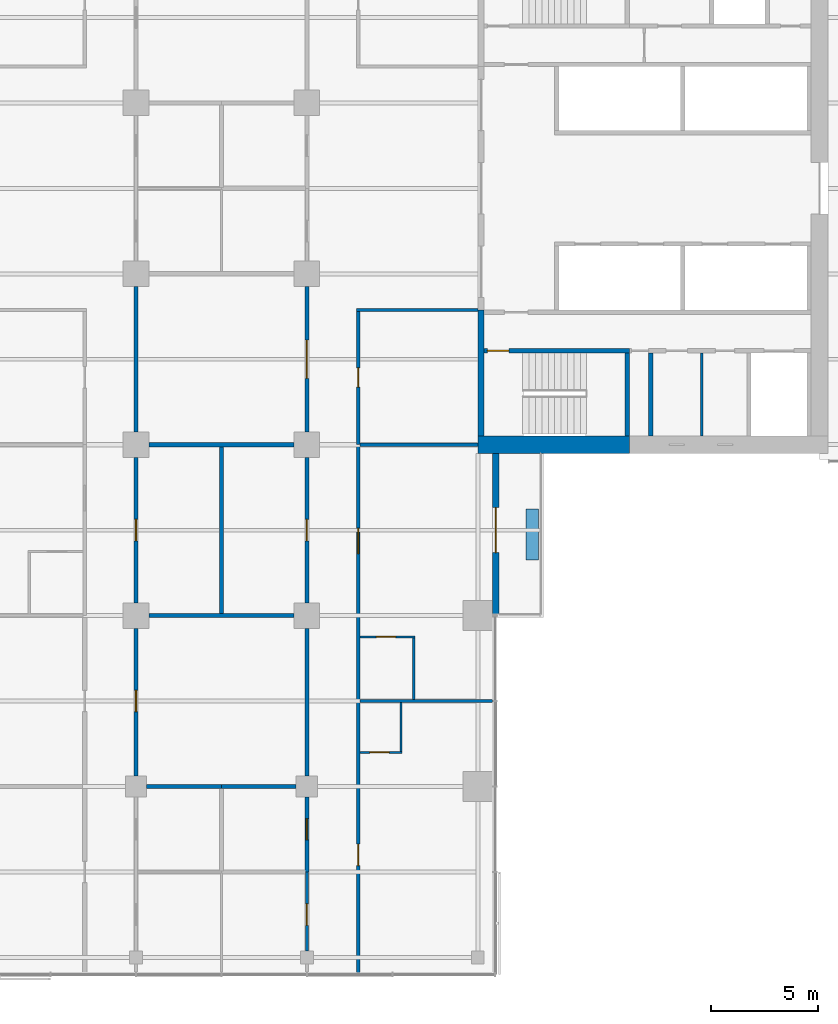
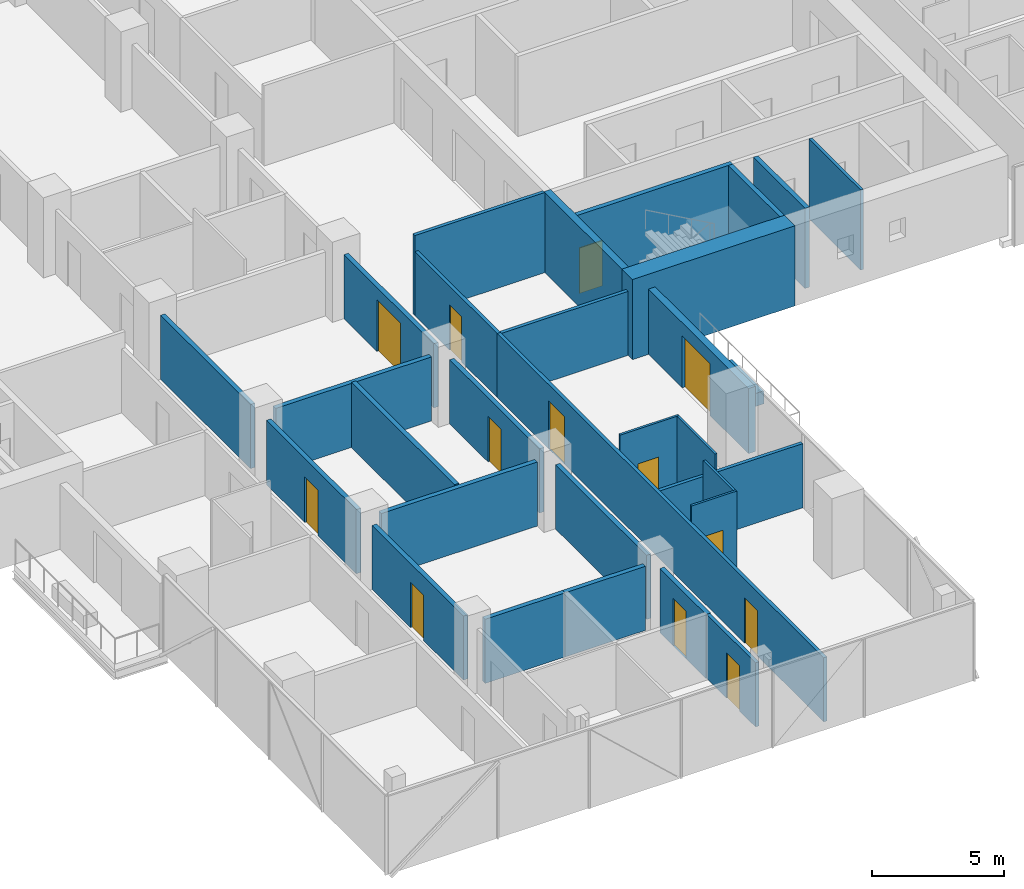
# One storey, part 16 of 27: 30 walls, 13 doors, 13 openings.
"""IFC4 building model written with IfcOpenShell, lengths in metres."""

from ifc_helpers import new_model, si_unit, direction, frame, frame_2d, origin, place, context, subcontext, project, spatial, rectangle, extrude, material, layer, layer_set, constituent, constituent_set, type_object, element, fill, save


model = new_model("IFC4")

# Units and contexts
model_context = context("Model", 3, precision=1e-05, world=origin(), true_north=direction((0.0, 1.0)))
body_context = subcontext(model_context, "Body", "Model", "MODEL_VIEW")
ifc_project = project(units=[si_unit("LENGTHUNIT", "METRE"), si_unit("AREAUNIT", "SQUARE_METRE"), si_unit("VOLUMEUNIT", "CUBIC_METRE"), si_unit("PLANEANGLEUNIT", "RADIAN"), si_unit("MASSUNIT", "GRAM", prefix="KILO")], contexts=[model_context])

# Site, building, storey
site_placement = place(None, origin())
site = spatial("IfcSite", under=ifc_project, at=site_placement, CompositionType="ELEMENT")
building_placement = place(site_placement, origin())
building = spatial("IfcBuilding", under=site, at=building_placement, Name="Crosswind Convention Tower", CompositionType="ELEMENT")
storey_placement = place(building_placement, frame((0.0, 0.0, 86.800048828125)))
storey = spatial("IfcBuildingStorey", under=building, at=storey_placement, Name="L16", CompositionType="ELEMENT", Elevation=86.800048828125)

# Walls
ifc_material_1 = material(Name="Concrete blockwork", Category="masonry")
ifc_layer_1 = layer(ifc_material_1, 0.199951171875)
ifc_layer_set_1 = layer_set([ifc_layer_1], Name="Blockwork partition wall 200")
wall_type_1 = type_object("IfcWallType", Name="Blockwork partition wall 200", PredefinedType="PARTITIONING", material=ifc_layer_set_1)
wall_1_placement = place(storey_placement, frame((145.10009765625, 88.39990234375, 0.0), z_axis=(0.0, 0.0, 1.0), x_axis=(0.0, 1.0, 0.0)))
element("IfcWall", 1, at=wall_1_placement, inside=storey, type_object=wall_type_1, Name="Wall MRSE E L16", PredefinedType="PARTITIONING", context=body_context, shape_type="SweptSolid", body=[
    extrude(rectangle(XDim=3.900146484375, YDim=0.199951171875, at=frame_2d((1.9501953125, 0.0))), origin(), (0.0, 0.0, 1.0), 3.699951171875),
])
ifc_layer_2 = layer(ifc_material_1, 0.199951171875)
ifc_layer_set_2 = layer_set([ifc_layer_2], Name="COMPARTMENT WALL 200")
wall_type_2 = type_object("IfcWallType", Name="COMPARTMENT WALL 200", PredefinedType="SOLIDWALL", material=ifc_layer_set_2)
wall_2_placement = place(storey_placement, frame((125.0, 72.0, 0.0), z_axis=(0.0, 0.0, 1.0), x_axis=(1.0, 0.0, 0.0)))
element("IfcWall", 2, at=wall_2_placement, inside=storey, type_object=wall_type_2, Name="Compartment Wall 5", PredefinedType="SOLIDWALL", context=body_context, shape_type="SweptSolid", body=[
    extrude(rectangle(XDim=3.5, YDim=0.199951171875, at=frame_2d((1.75, 0.0))), origin(), (0.0, 0.0, 1.0), 2.959716796875),
])

# Wall, opening, door
wall_3_placement = place(storey_placement, frame((129.0, 68.0, 0.0), z_axis=(0.0, 0.0, 1.0), x_axis=(0.0, 1.0, 0.0)))
wall_3 = element("IfcWall", 3, at=wall_3_placement, inside=storey, type_object=wall_type_2, Name="Compartment Wall 103", PredefinedType="SOLIDWALL", context=body_context, shape_type="SweptSolid", body=[
    extrude(rectangle(XDim=3.5, YDim=0.199951171875, at=frame_2d((1.75, 0.0))), origin(), (0.0, 0.0, 1.0), 2.959716796875),
])
opening_1_placement = place(wall_3_placement, frame((1.5, 0.0, 0.0)))
opening_1 = element("IfcOpeningElement", 4, at=opening_1_placement, cuts=wall_3, Name="Opening 16.053", PredefinedType="OPENING", context=body_context, shape_type="SweptSolid", body=[
    extrude(rectangle(XDim=1.0, YDim=2.199951171875, at=frame_2d((0.5, 1.10009765625))), frame((0.0, 0.10986328125, 0.0), z_axis=(0.0, -1.0, 0.0), x_axis=(1.0, 0.0, 0.0)), (0.0, 0.0, 1.0), 0.219970703125),
])
ifc_material_2 = material(Name="Steel fire door", Category="steel")
door_type_1 = type_object("IfcDoorType", Name="PLANT ROOM DOOR 1000X2200", OperationType="NOTDEFINED", PredefinedType="DOOR", material=ifc_material_2)
door_1_placement = place(opening_1_placement, origin())
door_1 = element("IfcDoor", 5, at=door_1_placement, inside=storey, type_object=door_type_1, Name="Door 16.053", ObjectType="D6", OperationType="SINGLE_SWING_RIGHT", OverallHeight=2.199951171875, OverallWidth=1.0, PredefinedType="DOOR", context=body_context, shape_type="SweptSolid", body=[
    extrude(rectangle(XDim=1.0, YDim=2.199951171875, at=frame_2d((0.5, 1.10009765625))), frame((0.0, 0.02490234375, 0.0), z_axis=(0.0, -1.0, 0.0), x_axis=(1.0, 0.0, 0.0)), (0.0, 0.0, 1.0), 0.050048828125),
])
fill(opening_1, door_1)

# Wall
ifc_material_3 = material(Name="Plasterboard partition", Category="gypsum")
ifc_layer_3 = layer(ifc_material_3, 0.14990234375)
ifc_layer_set_3 = layer_set([ifc_layer_3], Name="CORRIDOR WALL 150")
wall_type_3 = type_object("IfcWallType", Name="CORRIDOR WALL 150", PredefinedType="PARTITIONING", material=ifc_layer_set_3)
wall_4_placement = place(storey_placement, frame((131.324951171875, 94.300048828125, 0.0), z_axis=(0.0, 0.0, 1.0), x_axis=(1.0, 0.0, 0.0)))
element("IfcWall", 6, at=wall_4_placement, inside=storey, type_object=wall_type_3, Name="Corridor Wall 19", PredefinedType="PARTITIONING", context=body_context, shape_type="SweptSolid", body=[
    extrude(rectangle(XDim=5.675048828125, YDim=0.14990234375, at=frame_2d((2.83740234375, 0.0))), origin(), (0.0, 0.0, 1.0), 3.699951171875),
])

# Wall, opening, door
wall_5_placement = place(storey_placement, frame((129.0, 64.300048828125, 0.0), z_axis=(0.0, 0.0, 1.0), x_axis=(0.0, 1.0, 0.0)))
wall_5 = element("IfcWall", 7, at=wall_5_placement, inside=storey, type_object=wall_type_3, Name="Corridor Wall 102", PredefinedType="PARTITIONING", context=body_context, shape_type="SweptSolid", body=[
    extrude(rectangle(XDim=3.699951171875, YDim=0.14990234375, at=frame_2d((1.85009765625, 0.0))), origin(), (0.0, 0.0, 1.0), 2.959716796875),
])
opening_2_placement = place(wall_5_placement, frame((1.199951171875, 0.0, 0.0)))
opening_2 = element("IfcOpeningElement", 8, at=opening_2_placement, cuts=wall_5, Name="Opening 16.052", PredefinedType="OPENING", context=body_context, shape_type="SweptSolid", body=[
    extrude(rectangle(XDim=1.0, YDim=2.10009765625, at=frame_2d((0.5, 1.050048828125))), frame((0.0, 0.0849609375, 0.0), z_axis=(0.0, -1.0, 0.0), x_axis=(1.0, 0.0, 0.0)), (0.0, 0.0, 1.0), 0.169921875),
])
ifc_material_4 = material(Name="Timber fire door", Category="wood")
door_type_2 = type_object("IfcDoorType", Name="SERVICE ROOM DOOR 1000X2100", OperationType="NOTDEFINED", PredefinedType="DOOR", material=ifc_material_4)
door_2_placement = place(opening_2_placement, origin())
door_2 = element("IfcDoor", 9, at=door_2_placement, inside=storey, type_object=door_type_2, Name="Door 16.052", ObjectType="D3", OperationType="SINGLE_SWING_LEFT", OverallHeight=2.10009765625, OverallWidth=1.0, PredefinedType="DOOR", context=body_context, shape_type="SweptSolid", body=[
    extrude(rectangle(XDim=1.0, YDim=2.10009765625, at=frame_2d((0.5, 1.050048828125))), frame((0.0, 0.02490234375, 0.0), z_axis=(0.0, -1.0, 0.0), x_axis=(1.0, 0.0, 0.0)), (0.0, 0.0, 1.0), 0.050048828125),
])
fill(opening_2, door_2)

wall_6_placement = place(storey_placement, frame((131.39990234375, 88.0, 0.0), z_axis=(0.0, 0.0, 1.0), x_axis=(0.0, 1.0, 0.0)))
wall_6 = element("IfcWall", 10, at=wall_6_placement, inside=storey, type_object=wall_type_3, Name="Corridor Wall 115", PredefinedType="PARTITIONING", context=body_context, shape_type="SweptSolid", body=[
    extrude(rectangle(XDim=6.22509765625, YDim=0.14990234375, at=frame_2d((3.112548828125, 0.0))), origin(), (0.0, 0.0, 1.0), 2.956298828125),
])
opening_3_placement = place(wall_6_placement, frame((2.699951171875, 0.0, 0.0)))
opening_3 = element("IfcOpeningElement", 11, at=opening_3_placement, cuts=wall_6, Name="Opening 16.002", PredefinedType="OPENING", context=body_context, shape_type="SweptSolid", body=[
    extrude(rectangle(XDim=0.89990234375, YDim=2.10009765625, at=frame_2d((0.449951171875, 1.050048828125))), frame((0.0, 0.0849609375, 0.0), z_axis=(0.0, -1.0, 0.0), x_axis=(1.0, 0.0, 0.0)), (0.0, 0.0, 1.0), 0.169921875),
])
ifc_material_5 = material(Name="Timber door", Category="wood")
door_type_3 = type_object("IfcDoorType", Name="WC DOOR 900X2100", OperationType="NOTDEFINED", PredefinedType="DOOR", material=ifc_material_5)
door_3_placement = place(opening_3_placement, frame((0.89990234375, 0.0, 0.0), z_axis=(0.0, 0.0, 1.0), x_axis=(-1.0, 0.0, 0.0)))
door_3 = element("IfcDoor", 12, at=door_3_placement, inside=storey, type_object=door_type_3, Name="Door 16.002", ObjectType="D7", OperationType="SINGLE_SWING_LEFT", OverallHeight=2.10009765625, OverallWidth=0.89990234375, PredefinedType="DOOR", context=body_context, shape_type="SweptSolid", body=[
    extrude(rectangle(XDim=0.89990234375, YDim=2.10009765625, at=frame_2d((0.449951171875, 1.050048828125))), frame((0.0, 0.02490234375, 0.0), z_axis=(0.0, -1.0, 0.0), x_axis=(1.0, 0.0, 0.0)), (0.0, 0.0, 1.0), 0.050048828125),
])
fill(opening_3, door_3)

# Walls
ifc_material_6 = material(Name="Concrete C50/60", Category="concrete")
ifc_layer_4 = layer(ifc_material_6, 0.300048828125)
ifc_layer_set_4 = layer_set([ifc_layer_4], Name="Concrete C50/60")
wall_type_4 = type_object("IfcWallType", Name="Concrete inner core wall 300", PredefinedType="SHEAR", material=ifc_layer_set_4)
wall_7_placement = place(storey_placement, frame((137.14990234375, 88.39990234375, 0.0), z_axis=(0.0, 0.0, 1.0), x_axis=(0.0, 1.0, 0.0)))
element("IfcWall", 13, at=wall_7_placement, inside=storey, type_object=wall_type_4, Name="Wall EM E L16", PredefinedType="SHEAR", context=body_context, shape_type="SweptSolid", body=[
    extrude(rectangle(XDim=5.900146484375, YDim=0.300048828125, at=frame_2d((2.9501953125, 0.0))), origin(), (0.0, 0.0, 1.0), 3.699951171875),
])
ifc_layer_5 = layer(ifc_material_6, 0.199951171875)
ifc_layer_set_5 = layer_set([ifc_layer_5], Name="Concrete C50/60")
wall_type_5 = type_object("IfcWallType", Name="Concrete shaft and stair wall 200", PredefinedType="SHEAR", material=ifc_layer_set_5)
wall_8_placement = place(storey_placement, frame((144.0, 88.39990234375, 0.0), z_axis=(0.0, 0.0, 1.0), x_axis=(0.0, 1.0, 0.0)))
element("IfcWall", 14, at=wall_8_placement, inside=storey, type_object=wall_type_5, Name="Wall MSE E L16", PredefinedType="SHEAR", context=body_context, shape_type="SweptSolid", body=[
    extrude(rectangle(XDim=3.900146484375, YDim=0.199951171875, at=frame_2d((1.9501953125, 0.0))), origin(), (0.0, 0.0, 1.0), 3.699951171875),
])

# Wall, opening, door
wall_9_placement = place(storey_placement, frame((137.300048828125, 92.39990234375, 0.0), z_axis=(0.0, 0.0, 1.0), x_axis=(1.0, 0.0, 0.0)))
wall_9 = element("IfcWall", 15, at=wall_9_placement, inside=storey, type_object=wall_type_5, Name="Wall MCW E L16", PredefinedType="SHEAR", context=body_context, shape_type="SweptSolid", body=[
    extrude(rectangle(XDim=6.800048828125, YDim=0.199951171875, at=frame_2d((3.39990234375, 0.0))), origin(), (0.0, 0.0, 1.0), 3.699951171875),
])
opening_4_placement = place(wall_9_placement, frame((0.14990234375, 0.0, 0.0)))
opening_4 = element("IfcOpeningElement", 16, at=opening_4_placement, cuts=wall_9, Name="Opening D103", PredefinedType="OPENING", context=body_context, shape_type="SweptSolid", body=[
    extrude(rectangle(XDim=1.0, YDim=2.10009765625, at=frame_2d((0.5, 1.050048828125))), frame((0.0, 0.10986328125, 0.0), z_axis=(0.0, -1.0, 0.0), x_axis=(1.0, 0.0, 0.0)), (0.0, 0.0, 1.0), 0.219970703125),
])
door_type_4 = type_object("IfcDoorType", Name="Fire-rated single door 1000x2100", OperationType="NOTDEFINED", PredefinedType="DOOR", material=ifc_material_2)
door_4_placement = place(opening_4_placement, frame((1.0, 0.0, 0.0), z_axis=(0.0, 0.0, 1.0), x_axis=(-1.0, 0.0, 0.0)))
door_4 = element("IfcDoor", 17, at=door_4_placement, inside=storey, type_object=door_type_4, Name="Stair ST2 door L16", ObjectType="D103", OperationType="SINGLE_SWING_RIGHT", OverallHeight=2.10009765625, OverallWidth=1.0, PredefinedType="DOOR", context=body_context, shape_type="SweptSolid", body=[
    extrude(rectangle(XDim=1.0, YDim=2.10009765625, at=frame_2d((0.5, 1.050048828125))), frame((0.0, 0.02490234375, 0.0), z_axis=(0.0, -1.0, 0.0), x_axis=(1.0, 0.0, 0.0)), (0.0, 0.0, 1.0), 0.050048828125),
])
fill(opening_4, door_4)

# Walls
ifc_material_7 = material(Name="Gypsum plasterboard partition", Category="gypsum")
ifc_layer_6 = layer(ifc_material_7, 0.125)
ifc_layer_set_6 = layer_set([ifc_layer_6], Name="Drywall partition wall 125")
wall_type_6 = type_object("IfcWallType", Name="Drywall partition wall 125", PredefinedType="PARTITIONING", material=ifc_layer_set_6)
wall_10_placement = place(storey_placement, frame((147.488037109375, 88.39990234375, 0.0), z_axis=(0.0, 0.0, 1.0), x_axis=(0.0, 1.0, 0.0)))
element("IfcWall", 18, at=wall_10_placement, inside=storey, type_object=wall_type_6, Name="Wall MWP1 E L16", PredefinedType="PARTITIONING", context=body_context, shape_type="SweptSolid", body=[
    extrude(rectangle(XDim=3.900146484375, YDim=0.125, at=frame_2d((1.9501953125, 0.0))), origin(), (0.0, 0.0, 1.0), 3.699951171875),
])
ifc_material_8 = material(Name="Acoustic plasterboard partition", Category="gypsum")
ifc_layer_7 = layer(ifc_material_8, 0.14990234375)
ifc_layer_set_7 = layer_set([ifc_layer_7], Name="GUEST ROOM WALL 150")
wall_type_7 = type_object("IfcWallType", Name="GUEST ROOM WALL 150", PredefinedType="PARTITIONING", material=ifc_layer_set_7)
wall_11_placement = place(storey_placement, frame((131.47509765625, 76.0, 0.0), z_axis=(0.0, 0.0, 1.0), x_axis=(1.0, 0.0, 0.0)))
element("IfcWall", 19, at=wall_11_placement, inside=storey, type_object=wall_type_7, Name="Guest Room Wall 7", PredefinedType="PARTITIONING", context=body_context, shape_type="SweptSolid", body=[
    extrude(rectangle(XDim=6.224853515625, YDim=0.14990234375, at=frame_2d((3.1123046875, 0.0))), origin(), (0.0, 0.0, 1.0), 2.962646484375),
])
wall_12_placement = place(storey_placement, frame((131.47509765625, 88.0, 0.0), z_axis=(0.0, 0.0, 1.0), x_axis=(1.0, 0.0, 0.0)))
element("IfcWall", 20, at=wall_12_placement, inside=storey, type_object=wall_type_7, Name="Guest Room Wall 14", PredefinedType="PARTITIONING", context=body_context, shape_type="SweptSolid", body=[
    extrude(rectangle(XDim=5.52490234375, YDim=0.14990234375, at=frame_2d((2.762451171875, 0.0))), origin(), (0.0, 0.0, 1.0), 2.956298828125),
])

# Wall, openings, doors
wall_13_placement = place(storey_placement, frame((131.39990234375, 63.300048828125, 0.0), z_axis=(0.0, 0.0, 1.0), x_axis=(0.0, 1.0, 0.0)))
wall_13 = element("IfcWall", 21, at=wall_13_placement, inside=storey, type_object=wall_type_7, Name="Guest Room Wall 114", PredefinedType="PARTITIONING", context=body_context, shape_type="SweptSolid", body=[
    extrude(rectangle(XDim=24.699951171875, YDim=0.14990234375, at=frame_2d((12.35009765625, 0.0))), origin(), (0.0, 0.0, 1.0), 2.956298828125),
])
opening_5_placement = place(wall_13_placement, frame((19.60009765625, 0.0, 0.0)))
opening_5 = element("IfcOpeningElement", 22, at=opening_5_placement, cuts=wall_13, Name="Opening 16.020", PredefinedType="OPENING", context=body_context, shape_type="SweptSolid", body=[
    extrude(rectangle(XDim=1.199951171875, YDim=2.199951171875, at=frame_2d((0.60009765625, 1.10009765625))), frame((0.0, 0.0849609375, 0.0), z_axis=(0.0, -1.0, 0.0), x_axis=(1.0, 0.0, 0.0)), (0.0, 0.0, 1.0), 0.169921875),
])
opening_6_placement = place(wall_13_placement, frame((5.0, 0.0, 0.0)))
opening_6 = element("IfcOpeningElement", 23, at=opening_6_placement, cuts=wall_13, Name="Opening 16.022", PredefinedType="OPENING", context=body_context, shape_type="SweptSolid", body=[
    extrude(rectangle(XDim=1.0, YDim=2.10009765625, at=frame_2d((0.5, 1.050048828125))), frame((0.0, 0.0849609375, 0.0), z_axis=(0.0, -1.0, 0.0), x_axis=(1.0, 0.0, 0.0)), (0.0, 0.0, 1.0), 0.169921875),
])
door_type_5 = type_object("IfcDoorType", Name="GUEST ROOM DOOR 1000X2100", OperationType="NOTDEFINED", PredefinedType="DOOR", material=ifc_material_4)
door_5_placement = place(opening_6_placement, frame((1.0, 0.0, 0.0), z_axis=(0.0, 0.0, 1.0), x_axis=(-1.0, 0.0, 0.0)))
door_5 = element("IfcDoor", 24, at=door_5_placement, inside=storey, type_object=door_type_5, Name="Door 16.022", ObjectType="D1", OperationType="SINGLE_SWING_LEFT", OverallHeight=2.10009765625, OverallWidth=1.0, PredefinedType="DOOR", context=body_context, shape_type="SweptSolid", body=[
    extrude(rectangle(XDim=1.0, YDim=2.10009765625, at=frame_2d((0.5, 1.050048828125))), frame((0.0, 0.02490234375, 0.0), z_axis=(0.0, -1.0, 0.0), x_axis=(1.0, 0.0, 0.0)), (0.0, 0.0, 1.0), 0.050048828125),
])
fill(opening_6, door_5)
door_type_6 = type_object("IfcDoorType", Name="SUITE DOOR 1200X2200", OperationType="DOUBLE_DOOR_SINGLE_SWING", PredefinedType="DOOR", material=ifc_material_4)
door_6_placement = place(opening_5_placement, frame((1.199951171875, 0.0, 0.0), z_axis=(0.0, 0.0, 1.0), x_axis=(-1.0, 0.0, 0.0)))
door_6 = element("IfcDoor", 25, at=door_6_placement, inside=storey, type_object=door_type_6, Name="Door 16.020", ObjectType="D14", OperationType="DOUBLE_DOOR_SINGLE_SWING", OverallHeight=2.199951171875, OverallWidth=1.199951171875, PredefinedType="DOOR", context=body_context, shape_type="SweptSolid", body=[
    extrude(rectangle(XDim=1.199951171875, YDim=2.199951171875, at=frame_2d((0.60009765625, 1.10009765625))), frame((0.0, 0.02490234375, 0.0), z_axis=(0.0, -1.0, 0.0), x_axis=(1.0, 0.0, 0.0)), (0.0, 0.0, 1.0), 0.050048828125),
])
fill(opening_5, door_6)

# Walls
ifc_material_9 = material(Name="Double plasterboard partition", Category="gypsum")
ifc_layer_8 = layer(ifc_material_9, 0.199951171875)
ifc_layer_set_8 = layer_set([ifc_layer_8], Name="HALL WALL 200")
wall_type_8 = type_object("IfcWallType", Name="HALL WALL 200", PredefinedType="PARTITIONING", material=ifc_layer_set_8)
wall_14_placement = place(storey_placement, frame((121.5, 72.0, 0.0), z_axis=(0.0, 0.0, 1.0), x_axis=(1.0, 0.0, 0.0)))
element("IfcWall", 26, at=wall_14_placement, inside=storey, type_object=wall_type_8, Name="Hall Wall 4", PredefinedType="PARTITIONING", context=body_context, shape_type="SweptSolid", body=[
    extrude(rectangle(XDim=3.5, YDim=0.199951171875, at=frame_2d((1.75, 0.0))), origin(), (0.0, 0.0, 1.0), 2.959716796875),
])
for number, where, z_axis, x_axis, name in (
    (27, (121.60009765625, 80.0, 0.0), (0.0, 0.0, 1.0), (1.0, 0.0, 0.0), "Hall Wall 10"),
    (28, (121.60009765625, 88.0, 0.0), (0.0, 0.0, 1.0), (1.0, 0.0, 0.0), "Hall Wall 13"),
):
    element("IfcWall", number, at=place(storey_placement, frame(where, z_axis=z_axis, x_axis=x_axis)), inside=storey, type_object=wall_type_8, Name=name, PredefinedType="PARTITIONING", context=body_context, shape_type="SweptSolid", body=[
        extrude(rectangle(XDim=6.7998046875, YDim=0.199951171875, at=frame_2d((3.39990234375, 0.0))), origin(), (0.0, 0.0, 1.0), 2.959716796875),
    ])

# Wall, opening, door
wall_15_placement = place(storey_placement, frame((121.0, 72.5, 0.0), z_axis=(0.0, 0.0, 1.0), x_axis=(0.0, 1.0, 0.0)))
wall_15 = element("IfcWall", 29, at=wall_15_placement, inside=storey, type_object=wall_type_8, Name="Hall Wall 85", PredefinedType="PARTITIONING", context=body_context, shape_type="SweptSolid", body=[
    extrude(rectangle(XDim=6.89990234375, YDim=0.199951171875, at=frame_2d((3.449951171875, 0.0))), origin(), (0.0, 0.0, 1.0), 2.959716796875),
])
opening_7_placement = place(wall_15_placement, frame((3.0, 0.0, 0.0)))
opening_7 = element("IfcOpeningElement", 30, at=opening_7_placement, cuts=wall_15, Name="Opening 16.054", PredefinedType="OPENING", context=body_context, shape_type="SweptSolid", body=[
    extrude(rectangle(XDim=1.0, YDim=2.10009765625, at=frame_2d((0.5, 1.050048828125))), frame((0.0, 0.10986328125, 0.0), z_axis=(0.0, -1.0, 0.0), x_axis=(1.0, 0.0, 0.0)), (0.0, 0.0, 1.0), 0.219970703125),
])
door_type_7 = type_object("IfcDoorType", Name="MEETING ROOM DOOR 1000X2100", OperationType="NOTDEFINED", PredefinedType="DOOR", material=ifc_material_4)
door_7_placement = place(opening_7_placement, origin())
door_7 = element("IfcDoor", 31, at=door_7_placement, inside=storey, type_object=door_type_7, Name="Door 16.054", ObjectType="D13", OperationType="SINGLE_SWING_RIGHT", OverallHeight=2.10009765625, OverallWidth=1.0, PredefinedType="DOOR", context=body_context, shape_type="SweptSolid", body=[
    extrude(rectangle(XDim=1.0, YDim=2.10009765625, at=frame_2d((0.5, 1.050048828125))), frame((0.0, 0.02490234375, 0.0), z_axis=(0.0, -1.0, 0.0), x_axis=(1.0, 0.0, 0.0)), (0.0, 0.0, 1.0), 0.050048828125),
])
fill(opening_7, door_7)

wall_16_placement = place(storey_placement, frame((121.0, 80.60009765625, 0.0), z_axis=(0.0, 0.0, 1.0), x_axis=(0.0, 1.0, 0.0)))
wall_16 = element("IfcWall", 32, at=wall_16_placement, inside=storey, type_object=wall_type_8, Name="Hall Wall 86", PredefinedType="PARTITIONING", context=body_context, shape_type="SweptSolid", body=[
    extrude(rectangle(XDim=6.7998046875, YDim=0.199951171875, at=frame_2d((3.39990234375, 0.0))), origin(), (0.0, 0.0, 1.0), 2.959716796875),
])
opening_8_placement = place(wall_16_placement, frame((2.89990234375, 0.0, 0.0)))
opening_8 = element("IfcOpeningElement", 33, at=opening_8_placement, cuts=wall_16, Name="Opening 16.055", PredefinedType="OPENING", context=body_context, shape_type="SweptSolid", body=[
    extrude(rectangle(XDim=1.0, YDim=2.10009765625, at=frame_2d((0.5, 1.050048828125))), frame((0.0, 0.10986328125, 0.0), z_axis=(0.0, -1.0, 0.0), x_axis=(1.0, 0.0, 0.0)), (0.0, 0.0, 1.0), 0.219970703125),
])
door_8_placement = place(opening_8_placement, frame((1.0, 0.0, 0.0), z_axis=(0.0, 0.0, 1.0), x_axis=(-1.0, 0.0, 0.0)))
door_8 = element("IfcDoor", 34, at=door_8_placement, inside=storey, type_object=door_type_7, Name="Door 16.055", ObjectType="D13", OperationType="SINGLE_SWING_LEFT", OverallHeight=2.10009765625, OverallWidth=1.0, PredefinedType="DOOR", context=body_context, shape_type="SweptSolid", body=[
    extrude(rectangle(XDim=1.0, YDim=2.10009765625, at=frame_2d((0.5, 1.050048828125))), frame((0.0, 0.02490234375, 0.0), z_axis=(0.0, -1.0, 0.0), x_axis=(1.0, 0.0, 0.0)), (0.0, 0.0, 1.0), 0.050048828125),
])
fill(opening_8, door_8)

# Walls
wall_17_placement = place(storey_placement, frame((121.0, 88.60009765625, 0.0), z_axis=(0.0, 0.0, 1.0), x_axis=(0.0, 1.0, 0.0)))
element("IfcWall", 35, at=wall_17_placement, inside=storey, type_object=wall_type_8, Name="Hall Wall 87", PredefinedType="PARTITIONING", context=body_context, shape_type="SweptSolid", body=[
    extrude(rectangle(XDim=6.7998046875, YDim=0.199951171875, at=frame_2d((3.39990234375, 0.0))), origin(), (0.0, 0.0, 1.0), 2.959716796875),
])
wall_18_placement = place(storey_placement, frame((125.0, 80.10009765625, 0.0), z_axis=(0.0, 0.0, 1.0), x_axis=(0.0, 1.0, 0.0)))
element("IfcWall", 36, at=wall_18_placement, inside=storey, type_object=wall_type_8, Name="Hall Wall 96", PredefinedType="PARTITIONING", context=body_context, shape_type="SweptSolid", body=[
    extrude(rectangle(XDim=7.7998046875, YDim=0.199951171875, at=frame_2d((3.89990234375, 0.0))), origin(), (0.0, 0.0, 1.0), 3.013671875),
])
wall_19_placement = place(storey_placement, frame((129.0, 72.5, 0.0), z_axis=(0.0, 0.0, 1.0), x_axis=(0.0, 1.0, 0.0)))
element("IfcWall", 37, at=wall_19_placement, inside=storey, type_object=wall_type_8, Name="Hall Wall 104", PredefinedType="PARTITIONING", context=body_context, shape_type="SweptSolid", body=[
    extrude(rectangle(XDim=6.89990234375, YDim=0.199951171875, at=frame_2d((3.449951171875, 0.0))), origin(), (0.0, 0.0, 1.0), 2.959716796875),
])

# Wall, opening, door
wall_20_placement = place(storey_placement, frame((129.0, 80.60009765625, 0.0), z_axis=(0.0, 0.0, 1.0), x_axis=(0.0, 1.0, 0.0)))
wall_20 = element("IfcWall", 38, at=wall_20_placement, inside=storey, type_object=wall_type_8, Name="Hall Wall 105", PredefinedType="PARTITIONING", context=body_context, shape_type="SweptSolid", body=[
    extrude(rectangle(XDim=6.7998046875, YDim=0.199951171875, at=frame_2d((3.39990234375, 0.0))), origin(), (0.0, 0.0, 1.0), 2.959716796875),
])
opening_9_placement = place(wall_20_placement, frame((2.89990234375, 0.0, 0.0)))
opening_9 = element("IfcOpeningElement", 39, at=opening_9_placement, cuts=wall_20, Name="Opening 16.056", PredefinedType="OPENING", context=body_context, shape_type="SweptSolid", body=[
    extrude(rectangle(XDim=1.0, YDim=2.10009765625, at=frame_2d((0.5, 1.050048828125))), frame((0.0, 0.10986328125, 0.0), z_axis=(0.0, -1.0, 0.0), x_axis=(1.0, 0.0, 0.0)), (0.0, 0.0, 1.0), 0.219970703125),
])
door_9_placement = place(opening_9_placement, origin())
door_9 = element("IfcDoor", 40, at=door_9_placement, inside=storey, type_object=door_type_7, Name="Door 16.056", ObjectType="D13", OperationType="SINGLE_SWING_RIGHT", OverallHeight=2.10009765625, OverallWidth=1.0, PredefinedType="DOOR", context=body_context, shape_type="SweptSolid", body=[
    extrude(rectangle(XDim=1.0, YDim=2.10009765625, at=frame_2d((0.5, 1.050048828125))), frame((0.0, 0.02490234375, 0.0), z_axis=(0.0, -1.0, 0.0), x_axis=(1.0, 0.0, 0.0)), (0.0, 0.0, 1.0), 0.050048828125),
])
fill(opening_9, door_9)

wall_21_placement = place(storey_placement, frame((129.0, 88.60009765625, 0.0), z_axis=(0.0, 0.0, 1.0), x_axis=(0.0, 1.0, 0.0)))
wall_21 = element("IfcWall", 41, at=wall_21_placement, inside=storey, type_object=wall_type_8, Name="Hall Wall 106", PredefinedType="PARTITIONING", context=body_context, shape_type="SweptSolid", body=[
    extrude(rectangle(XDim=6.7998046875, YDim=0.199951171875, at=frame_2d((3.39990234375, 0.0))), origin(), (0.0, 0.0, 1.0), 2.959716796875),
])
opening_10_placement = place(wall_21_placement, frame((2.5, 0.0, 0.0)))
opening_10 = element("IfcOpeningElement", 42, at=opening_10_placement, cuts=wall_21, Name="Opening 16.057", PredefinedType="OPENING", context=body_context, shape_type="SweptSolid", body=[
    extrude(rectangle(XDim=1.800048828125, YDim=2.39990234375, at=frame_2d((0.89990234375, 1.199951171875))), frame((0.0, 0.10986328125, 0.0), z_axis=(0.0, -1.0, 0.0), x_axis=(1.0, 0.0, 0.0)), (0.0, 0.0, 1.0), 0.219970703125),
])
door_type_8 = type_object("IfcDoorType", Name="HALL DOUBLE DOOR 1800X2400", OperationType="DOUBLE_DOOR_SINGLE_SWING", PredefinedType="DOOR", material=ifc_material_4)
door_10_placement = place(opening_10_placement, frame((1.800048828125, 0.0, 0.0), z_axis=(0.0, 0.0, 1.0), x_axis=(-1.0, 0.0, 0.0)))
door_10 = element("IfcDoor", 43, at=door_10_placement, inside=storey, type_object=door_type_8, Name="Door 16.057", ObjectType="D5", OperationType="DOUBLE_DOOR_SINGLE_SWING", OverallHeight=2.39990234375, OverallWidth=1.800048828125, PredefinedType="DOOR", context=body_context, shape_type="SweptSolid", body=[
    extrude(rectangle(XDim=1.800048828125, YDim=2.39990234375, at=frame_2d((0.89990234375, 1.199951171875))), frame((0.0, 0.02490234375, 0.0), z_axis=(0.0, -1.0, 0.0), x_axis=(1.0, 0.0, 0.0)), (0.0, 0.0, 1.0), 0.050048828125),
])
fill(opening_10, door_10)

# Wall
ifc_material_10 = material(Name="Concrete C30/37", Category="concrete")
ifc_layer_9 = layer(ifc_material_10, 0.60009765625)
ifc_layer_set_9 = layer_set([ifc_layer_9], Name="Concrete C30/37")
wall_type_9 = type_object("IfcWallType", Name="PLANTER BOX WALL 600", PredefinedType="SOLIDWALL", material=ifc_layer_set_9)
wall_22_placement = place(storey_placement, frame((139.550048828125, 82.60009765625, 0.0), z_axis=(0.0, 0.0, 1.0), x_axis=(0.0, 1.0, 0.0)))
element("IfcWall", 44, at=wall_22_placement, inside=storey, type_object=wall_type_9, Name="PLANTER L16 S-E.1-3", PredefinedType="SOLIDWALL", context=body_context, shape_type="SweptSolid", body=[
    extrude(rectangle(XDim=2.39990234375, YDim=0.60009765625, at=frame_2d((1.199951171875, 0.0))), origin(), (0.0, 0.0, 1.0), 0.599853515625),
])

# Wall, opening, door
ifc_material_11 = material(Name="Terracotta rainscreen", Category="ceramic")
ifc_layer_10 = layer(ifc_material_11, 0.02001953125)
ifc_material_12 = material(Name="Mineral wool insulation", Category="insulation")
ifc_layer_11 = layer(ifc_material_12, 0.10009765625)
ifc_layer_12 = layer(ifc_material_1, 0.179931640625)
ifc_layer_set_10 = layer_set([ifc_layer_10, ifc_layer_11, ifc_layer_12], Name="TERRACOTTA INFILL WALL 300")
wall_type_10 = type_object("IfcWallType", Name="TERRACOTTA INFILL WALL 300", PredefinedType="SOLIDWALL", material=ifc_layer_set_10)
wall_23_placement = place(storey_placement, frame((137.85009765625, 80.032470703125, 0.0), z_axis=(0.0, 0.0, 1.0), x_axis=(0.0, 1.0, 0.0)))
wall_23 = element("IfcWall", 45, at=wall_23_placement, inside=storey, type_object=wall_type_10, Name="Notch front wall L16 S-E.1-3", PredefinedType="SOLIDWALL", context=body_context, shape_type="SweptSolid", body=[
    extrude(rectangle(XDim=7.567626953125, YDim=0.300048828125, at=frame_2d((3.78369140625, 0.0))), origin(), (0.0, 0.0, 1.0), 3.013671875),
])
opening_11_placement = place(wall_23_placement, frame((2.91748046875, 0.0, 0.0)))
opening_11 = element("IfcOpeningElement", 46, at=opening_11_placement, cuts=wall_23, Name="Opening D141", PredefinedType="OPENING", context=body_context, shape_type="SweptSolid", body=[
    extrude(rectangle(XDim=2.10009765625, YDim=2.39990234375, at=frame_2d((1.050048828125, 1.199951171875))), frame((0.0, 0.159912109375, 0.0), z_axis=(0.0, -1.0, 0.0), x_axis=(1.0, 0.0, 0.0)), (0.0, 0.0, 1.0), 0.320068359375),
])
ifc_material_13 = material(Name="Aluminium glazed door", Category="aluminium")
door_type_9 = type_object("IfcDoorType", Name="BALCONY SLIDING DOOR 2100X2400", OperationType="SLIDING_TO_LEFT", PredefinedType="DOOR", material=ifc_material_13)
door_11_placement = place(opening_11_placement, frame((2.10009765625, 0.0, 0.0), z_axis=(0.0, 0.0, 1.0), x_axis=(-1.0, 0.0, 0.0)))
door_11 = element("IfcDoor", 47, at=door_11_placement, inside=storey, type_object=door_type_9, Name="D141 balcony door L16 S-E.1-3", ObjectType="D141", OperationType="SLIDING_TO_LEFT", OverallHeight=2.39990234375, OverallWidth=2.10009765625, PredefinedType="DOOR", context=body_context, shape_type="SweptSolid", body=[
    extrude(rectangle(XDim=2.10009765625, YDim=2.39990234375, at=frame_2d((1.050048828125, 1.199951171875))), frame((0.0, 0.02490234375, 0.0), z_axis=(0.0, -1.0, 0.0), x_axis=(1.0, 0.0, 0.0)), (0.0, 0.0, 1.0), 0.050048828125),
])
fill(opening_11, door_11)

# Wall
ifc_material_14 = material(Name="Concrete C60/75", Category="concrete")
ifc_constituent_1 = constituent(ifc_material_14, Name="Structure")
ifc_constituent_2 = constituent(ifc_material_11, Name="Facing")
ifc_constituent_set = constituent_set(constituents=[ifc_constituent_1, ifc_constituent_2], Name="Concrete C60/75, Terracotta rainscreen")
wall_type_11 = type_object("IfcWallType", Name="Terracotta rainscreen on concrete core wall 800", PredefinedType="SHEAR", material=ifc_constituent_set)
wall_24_placement = place(storey_placement, frame((137.0, 88.0, 0.0), z_axis=(0.0, 0.0, 1.0), x_axis=(1.0, 0.0, 0.0)))
element("IfcWall", 48, at=wall_24_placement, inside=storey, type_object=wall_type_11, Name="Wall S1 E L16", PredefinedType="SHEAR", context=body_context, shape_type="SweptSolid", body=[
    extrude(rectangle(XDim=7.10009765625, YDim=0.800048828125, at=frame_2d((3.550048828125, 0.0))), origin(), (0.0, 0.0, 1.0), 3.699951171875),
])

# Wall, opening, door
ifc_material_15 = material(Name="Water-resistant plasterboard partition", Category="gypsum")
ifc_layer_13 = layer(ifc_material_15, 0.10009765625)
ifc_layer_set_11 = layer_set([ifc_layer_13], Name="WET ROOM PARTITION 100")
wall_type_12 = type_object("IfcWallType", Name="WET ROOM PARTITION 100", PredefinedType="PLUMBINGWALL", material=ifc_layer_set_11)
wall_25_placement = place(storey_placement, frame((131.47509765625, 73.60009765625, 0.0), z_axis=(0.0, 0.0, 1.0), x_axis=(1.0, 0.0, 0.0)))
wall_25 = element("IfcWall", 49, at=wall_25_placement, inside=storey, type_object=wall_type_12, Name="Wet Room Partition 6", PredefinedType="PLUMBINGWALL", context=body_context, shape_type="SweptSolid", body=[
    extrude(rectangle(XDim=1.974853515625, YDim=0.10009765625, at=frame_2d((0.9873046875, 0.0))), origin(), (0.0, 0.0, 1.0), 3.699951171875),
])
opening_12_placement = place(wall_25_placement, frame((0.47509765625, 0.0, 0.0)))
opening_12 = element("IfcOpeningElement", 50, at=opening_12_placement, cuts=wall_25, Name="Opening 16.023", PredefinedType="OPENING", context=body_context, shape_type="SweptSolid", body=[
    extrude(rectangle(XDim=0.89990234375, YDim=2.10009765625, at=frame_2d((0.449951171875, 1.050048828125))), frame((0.0, 0.06005859375, 0.0), z_axis=(0.0, -1.0, 0.0), x_axis=(1.0, 0.0, 0.0)), (0.0, 0.0, 1.0), 0.1201171875),
])
door_type_10 = type_object("IfcDoorType", Name="EN-SUITE DOOR 900X2100", OperationType="NOTDEFINED", PredefinedType="DOOR", material=ifc_material_5)
door_12_placement = place(opening_12_placement, origin())
door_12 = element("IfcDoor", 51, at=door_12_placement, inside=storey, type_object=door_type_10, Name="Door 16.023", ObjectType="D2", OperationType="SINGLE_SWING_RIGHT", OverallHeight=2.10009765625, OverallWidth=0.89990234375, PredefinedType="DOOR", context=body_context, shape_type="SweptSolid", body=[
    extrude(rectangle(XDim=0.89990234375, YDim=2.10009765625, at=frame_2d((0.449951171875, 1.050048828125))), frame((0.0, 0.02490234375, 0.0), z_axis=(0.0, -1.0, 0.0), x_axis=(1.0, 0.0, 0.0)), (0.0, 0.0, 1.0), 0.050048828125),
])
fill(opening_12, door_12)

wall_26_placement = place(storey_placement, frame((131.47509765625, 79.0, 0.0), z_axis=(0.0, 0.0, 1.0), x_axis=(1.0, 0.0, 0.0)))
wall_26 = element("IfcWall", 52, at=wall_26_placement, inside=storey, type_object=wall_type_12, Name="Wet Room Partition 8", PredefinedType="PLUMBINGWALL", context=body_context, shape_type="SweptSolid", body=[
    extrude(rectangle(XDim=2.574951171875, YDim=0.10009765625, at=frame_2d((1.28759765625, 0.0))), origin(), (0.0, 0.0, 1.0), 3.699951171875),
])
opening_13_placement = place(wall_26_placement, frame((0.77490234375, 0.0, 0.0)))
opening_13 = element("IfcOpeningElement", 53, at=opening_13_placement, cuts=wall_26, Name="Opening 16.021", PredefinedType="OPENING", context=body_context, shape_type="SweptSolid", body=[
    extrude(rectangle(XDim=0.89990234375, YDim=2.10009765625, at=frame_2d((0.449951171875, 1.050048828125))), frame((0.0, 0.06005859375, 0.0), z_axis=(0.0, -1.0, 0.0), x_axis=(1.0, 0.0, 0.0)), (0.0, 0.0, 1.0), 0.1201171875),
])
door_13_placement = place(opening_13_placement, frame((0.89990234375, 0.0, 0.0), z_axis=(0.0, 0.0, 1.0), x_axis=(-1.0, 0.0, 0.0)))
door_13 = element("IfcDoor", 54, at=door_13_placement, inside=storey, type_object=door_type_10, Name="Door 16.021", ObjectType="D2", OperationType="SINGLE_SWING_LEFT", OverallHeight=2.10009765625, OverallWidth=0.89990234375, PredefinedType="DOOR", context=body_context, shape_type="SweptSolid", body=[
    extrude(rectangle(XDim=0.89990234375, YDim=2.10009765625, at=frame_2d((0.449951171875, 1.050048828125))), frame((0.0, 0.02490234375, 0.0), z_axis=(0.0, -1.0, 0.0), x_axis=(1.0, 0.0, 0.0)), (0.0, 0.0, 1.0), 0.050048828125),
])
fill(opening_13, door_13)

# Walls
wall_27_placement = place(storey_placement, frame((133.39990234375, 73.64990234375, 0.0), z_axis=(0.0, 0.0, 1.0), x_axis=(0.0, 1.0, 0.0)))
element("IfcWall", 55, at=wall_27_placement, inside=storey, type_object=wall_type_12, Name="Wet Room Partition 119", PredefinedType="PLUMBINGWALL", context=body_context, shape_type="SweptSolid", body=[
    extrude(rectangle(XDim=2.275146484375, YDim=0.10009765625, at=frame_2d((1.1376953125, 0.0))), origin(), (0.0, 0.0, 1.0), 3.699951171875),
])
wall_28_placement = place(storey_placement, frame((134.0, 76.074951171875, 0.0), z_axis=(0.0, 0.0, 1.0), x_axis=(0.0, 1.0, 0.0)))
element("IfcWall", 56, at=wall_28_placement, inside=storey, type_object=wall_type_12, Name="Wet Room Partition 121", PredefinedType="PLUMBINGWALL", context=body_context, shape_type="SweptSolid", body=[
    extrude(rectangle(XDim=2.875, YDim=0.10009765625, at=frame_2d((1.4375, 0.0))), origin(), (0.0, 0.0, 1.0), 3.699951171875),
])

save(model, "model.ifc")
